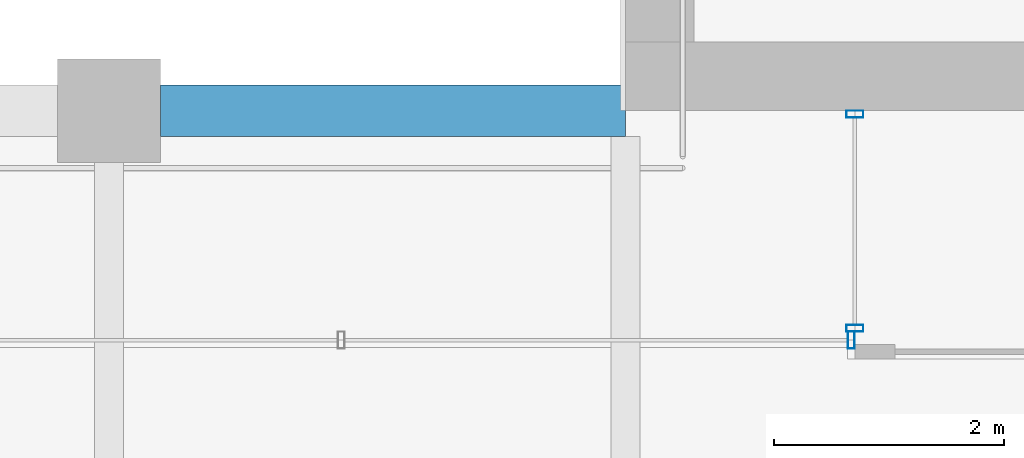
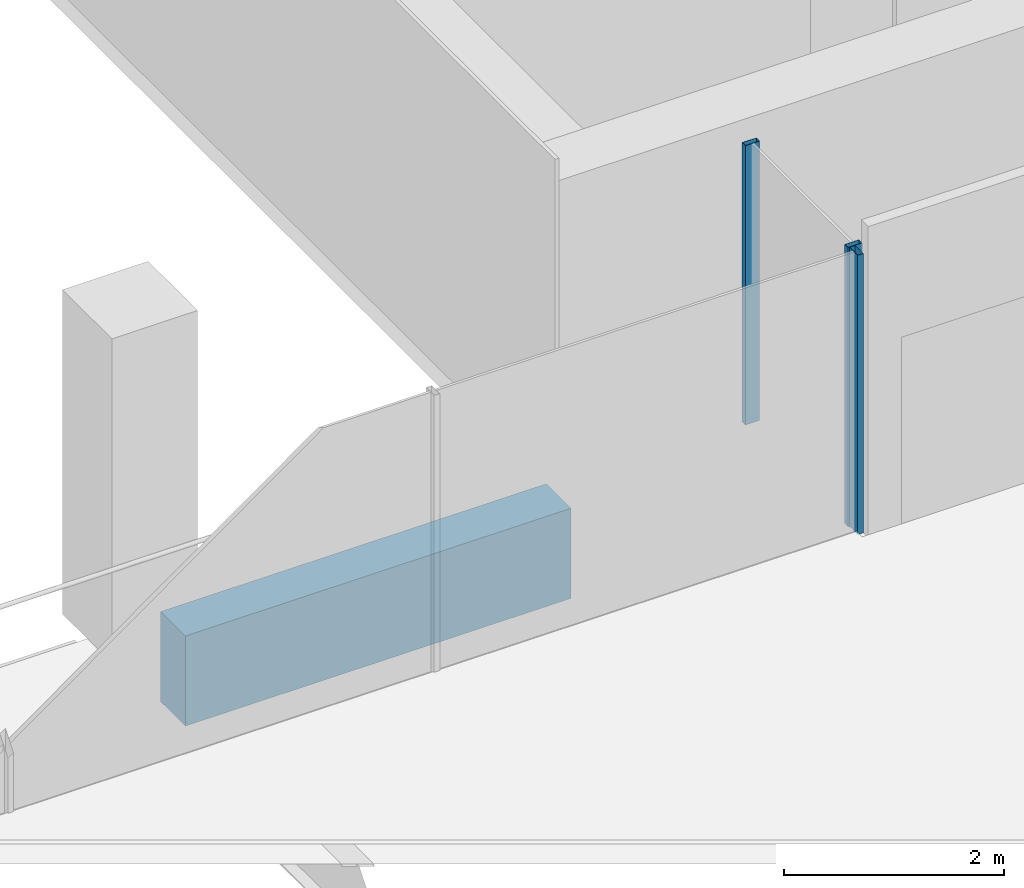
# One storey, part 6 of 40: 3 members, 1 beam, 2 elements without a shape of their own.
"""IFC4 building model written with IfcOpenShell, lengths in metres."""

from ifc_helpers import new_model, si_unit, direction, frame, origin, origin_2d, place, context, subcontext, project, spatial, rectangle, hollow_rectangle, extrude, material, material_profile, profile_set, type_object, element, aggregate, save


model = new_model("IFC4")

# Units and contexts
model_context = context("Model", 3, precision=1e-05, world=origin(), true_north=direction((0.0, 1.0)))
body_context = subcontext(model_context, "Body", "Model", "MODEL_VIEW")
ifc_project = project(units=[si_unit("LENGTHUNIT", "METRE"), si_unit("AREAUNIT", "SQUARE_METRE"), si_unit("VOLUMEUNIT", "CUBIC_METRE"), si_unit("PLANEANGLEUNIT", "RADIAN"), si_unit("MASSUNIT", "GRAM", prefix="KILO")], contexts=[model_context])

# Site, building, storey
site_placement = place(None, origin())
site = spatial("IfcSite", under=ifc_project, at=site_placement, CompositionType="ELEMENT")
building_placement = place(site_placement, origin())
building = spatial("IfcBuilding", under=site, at=building_placement, Name="Altepetl Exchange Towers", CompositionType="ELEMENT")
storey_placement = place(building_placement, frame((0.0, 0.0, 154.60009765625)))
storey = spatial("IfcBuildingStorey", under=building, at=storey_placement, Name="L38", CompositionType="ELEMENT", Elevation=154.60009765625)

# Curtain wall, members
ifc_material_1 = material(Name="Aluminium 6063-T6 glazing", Category="aluminium")
curtain_wall_type = type_object("IfcCurtainWallType", Name="Loggia glazing system", PredefinedType="NOTDEFINED", material=ifc_material_1)
curtain_wall_1_placement = place(storey_placement, origin())
curtain_wall_1 = element("IfcCurtainWall", 1, at=curtain_wall_1_placement, inside=storey, type_object=curtain_wall_type, Name="CW1 run", PredefinedType="NOTDEFINED")
ifc_material_2 = material(Name="Aluminium 6063-T6", Category="aluminium")
ifc_material_profile_1 = material_profile(ifc_material_2, hollow_rectangle(XDim=0.06005859375, YDim=0.14990234375, WallThickness=0.0029296875, at=origin_2d()), Name="Mullion 60x150 aluminium")
ifc_profile_set_1 = profile_set([ifc_material_profile_1], Name="Aluminium 6063-T6")
member_type = type_object("IfcMemberType", Name="Mullion 60x150 aluminium", PredefinedType="MULLION", material=ifc_profile_set_1)
member_1_placement = place(storey_placement, frame((42.5, 40.469970703125, 0.0), z_axis=(0.0, 0.0, 1.0), x_axis=(0.0, -1.0, 0.0)))
member_1 = element("IfcMember", 2, at=member_1_placement, type_object=member_type, Name="MU1 mullion", PredefinedType="MULLION", context=body_context, shape_type="SweptSolid", body=[
    extrude(hollow_rectangle(XDim=0.06005859375, YDim=0.14990234375, WallThickness=0.0029296875, at=origin_2d()), origin(), (0.0, 0.0, 1.0), 3.099853515625),
])
member_2_placement = place(storey_placement, frame((42.5, 38.60498046875, 0.0), z_axis=(0.0, 0.0, 1.0), x_axis=(0.0, -1.0, 0.0)))
member_2 = element("IfcMember", 3, at=member_2_placement, type_object=member_type, Name="MU1 mullion", PredefinedType="MULLION", context=body_context, shape_type="SweptSolid", body=[
    extrude(hollow_rectangle(XDim=0.06005859375, YDim=0.14990234375, WallThickness=0.0029296875, at=origin_2d()), origin(), (0.0, 0.0, 1.0), 3.099853515625),
])
aggregate(curtain_wall_1, [member_1, member_2])

# Curtain wall, member
curtain_wall_2_placement = place(storey_placement, origin())
curtain_wall_2 = element("IfcCurtainWall", 4, at=curtain_wall_2_placement, inside=storey, type_object=curtain_wall_type, Name="CW1 run", PredefinedType="NOTDEFINED")
member_3_placement = place(storey_placement, frame((42.469970703125, 38.5, 0.0), z_axis=(0.0, 0.0, 1.0), x_axis=(-1.0, 0.0, 0.0)))
member_3 = element("IfcMember", 5, at=member_3_placement, type_object=member_type, Name="MU1 mullion", PredefinedType="MULLION", context=body_context, shape_type="SweptSolid", body=[
    extrude(hollow_rectangle(XDim=0.06005859375, YDim=0.14990234375, WallThickness=0.0029296875, at=origin_2d()), origin(), (0.0, 0.0, 1.0), 3.099853515625),
])
aggregate(curtain_wall_2, [member_3])

# Beam
ifc_material_3 = material(Name="Concrete C50/60 precast with tezontle facing", Category="concrete")
ifc_material_profile_2 = material_profile(ifc_material_3, rectangle(XDim=0.449951171875, YDim=1.0, at=origin_2d()), Name="450 x 1000")
ifc_profile_set_2 = profile_set([ifc_material_profile_2], Name="Concrete C50/60 precast with tezontle facing")
beam_type = type_object("IfcBeamType", Name="Spandrel beam 450x1000 tezontle", PredefinedType="SPANDREL", material=ifc_profile_set_2)
beam_placement = place(storey_placement, frame((40.5, 40.5, -0.650146484375), z_axis=(-1.0, 0.0, 0.0), x_axis=(0.0, -1.0, 0.0)))
element("IfcBeam", 6, at=beam_placement, inside=storey, type_object=beam_type, Name="sp:A:L38:033", PredefinedType="SPANDREL", context=body_context, shape_type="SweptSolid", body=[
    extrude(rectangle(XDim=0.449951171875, YDim=1.0, at=origin_2d()), origin(), (0.0, 0.0, 1.0), 4.050048828125),
])

save(model, "model.ifc")
